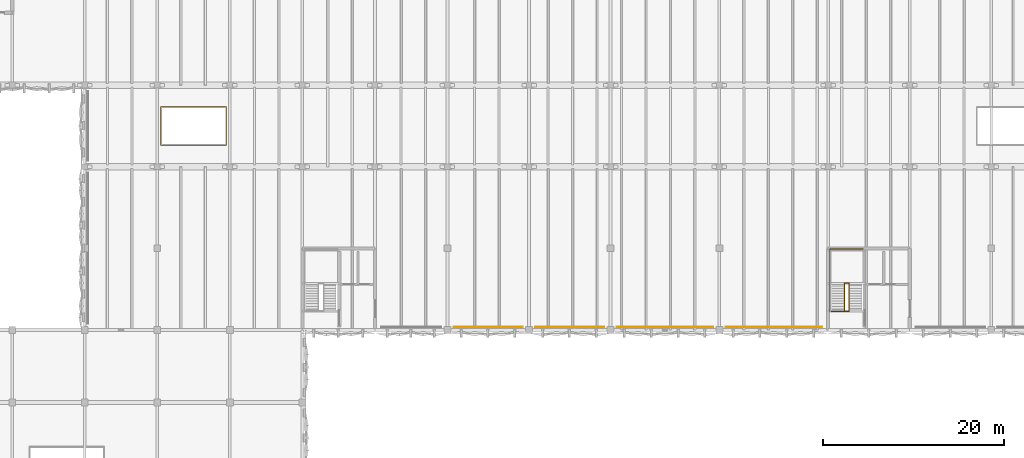
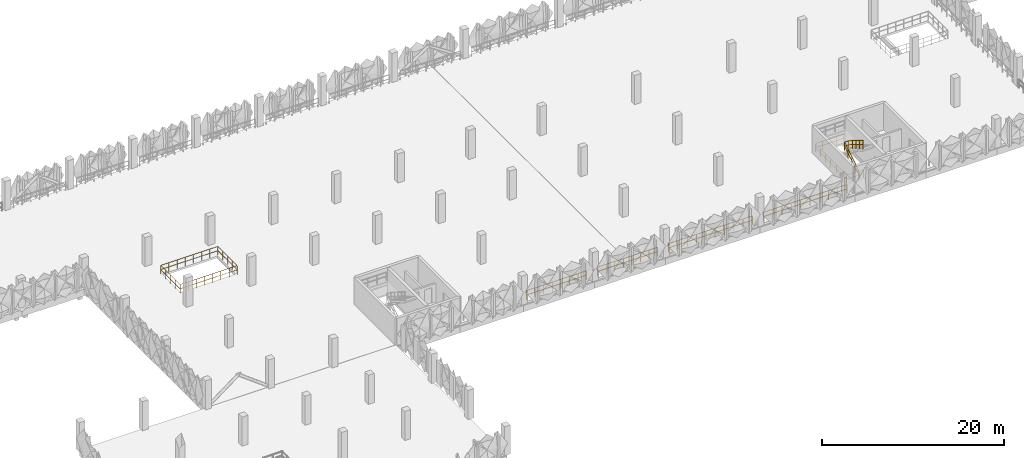
# One storey, part 75 of 83: 7 railings.
"""IFC4 building model written with IfcOpenShell, lengths in metres."""

from ifc_helpers import new_model, si_unit, derived_unit, direction, frame, origin, origin_2d, place, context, subcontext, project, spatial, circle, extrude, material, type_object, element, save


model = new_model("IFC4")

# Units and contexts
model_context = context("Model", 3, precision=1e-05, world=origin(), true_north=direction((0.0, 1.0)))
body_context = subcontext(model_context, "Body", "Model", "MODEL_VIEW")
ifc_project = project(units=[si_unit("LENGTHUNIT", "METRE"), si_unit("AREAUNIT", "SQUARE_METRE"), si_unit("VOLUMEUNIT", "CUBIC_METRE"), si_unit("PLANEANGLEUNIT", "RADIAN"), si_unit("MASSUNIT", "GRAM", prefix="KILO"), si_unit("THERMODYNAMICTEMPERATUREUNIT", "KELVIN"), derived_unit("THERMALTRANSMITTANCEUNIT", [(si_unit("POWERUNIT", "WATT"), 1), (si_unit("AREAUNIT", "SQUARE_METRE"), -1), (si_unit("THERMODYNAMICTEMPERATUREUNIT", "KELVIN"), -1)])], contexts=[model_context])

# Site, building, storey
site_placement = place(None, origin())
site = spatial("IfcSite", under=ifc_project, at=site_placement, CompositionType="ELEMENT")
building_placement = place(site_placement, origin())
building = spatial("IfcBuilding", under=site, at=building_placement, Name="Haiyu Intermodal Mobility Hub", CompositionType="ELEMENT")
storey_placement = place(building_placement, frame((0.0, 0.0, 13.39990234375)))
storey = spatial("IfcBuildingStorey", under=building, at=storey_placement, Name="L03", CompositionType="ELEMENT", Elevation=13.39990234375)

# Railings
ifc_material = material(Name="Steel Q355C", Category="steel")
railing_type_1 = type_object("IfcRailingType", Name="RAL-GR01", PredefinedType="GUARDRAIL", material=ifc_material)
railing_1_placement = place(storey_placement, frame((78.699951171875, 104.340087890625, 0.0)))
element("IfcRailing", 1, at=railing_1_placement, inside=storey, type_object=railing_type_1, Name="RAL-CAR-S-0117", PredefinedType="GUARDRAIL", context=body_context, shape_type="SweptSolid", body=[
    extrude(circle(Radius=0.02392578125, at=origin_2d()), frame((0.030029296875, 0.0, 1.17578125), z_axis=(1.0, 0.0, 0.0), x_axis=(0.0, 1.0, 0.0)), (0.0, 0.0, 1.0), 7.5400390625),
    extrude(circle(Radius=0.02392578125, at=origin_2d()), frame((0.037353515625, 0.0, 0.60009765625), z_axis=(1.0, 0.0, 0.0), x_axis=(0.0, 1.0, 0.0)), (0.0, 0.0, 1.0), 1.01123046875),
    extrude(circle(Radius=0.02392578125, at=origin_2d()), frame((1.123046875, 0.0, 0.60009765625), z_axis=(1.0, 0.0, 0.0), x_axis=(0.0, 1.0, 0.0)), (0.0, 0.0, 1.0), 1.01123046875),
    extrude(circle(Radius=0.02392578125, at=origin_2d()), frame((2.208740234375, 0.0, 0.60009765625), z_axis=(1.0, 0.0, 0.0), x_axis=(0.0, 1.0, 0.0)), (0.0, 0.0, 1.0), 1.01123046875),
    extrude(circle(Radius=0.02392578125, at=origin_2d()), frame((3.29443359375, 0.0, 0.60009765625), z_axis=(1.0, 0.0, 0.0), x_axis=(0.0, 1.0, 0.0)), (0.0, 0.0, 1.0), 1.01123046875),
    extrude(circle(Radius=0.02392578125, at=origin_2d()), frame((4.380126953125, 0.0, 0.60009765625), z_axis=(1.0, 0.0, 0.0), x_axis=(0.0, 1.0, 0.0)), (0.0, 0.0, 1.0), 1.01123046875),
    extrude(circle(Radius=0.02392578125, at=origin_2d()), frame((5.4658203125, 0.0, 0.60009765625), z_axis=(1.0, 0.0, 0.0), x_axis=(0.0, 1.0, 0.0)), (0.0, 0.0, 1.0), 1.01123046875),
    extrude(circle(Radius=0.02392578125, at=origin_2d()), frame((6.5517578125, 0.0, 0.60009765625), z_axis=(1.0, 0.0, 0.0), x_axis=(0.0, 1.0, 0.0)), (0.0, 0.0, 1.0), 1.01123046875),
    extrude(circle(Radius=0.02099609375, at=origin_2d()), origin(), (0.0, 0.0, 1.0), 1.143798828125),
    extrude(circle(Radius=0.02099609375, at=origin_2d()), frame((1.085693359375, 0.0, 0.0)), (0.0, 0.0, 1.0), 1.143798828125),
    extrude(circle(Radius=0.02099609375, at=origin_2d()), frame((2.17138671875, 0.0, 0.0)), (0.0, 0.0, 1.0), 1.143798828125),
    extrude(circle(Radius=0.02099609375, at=origin_2d()), frame((3.257080078125, 0.0, 0.0)), (0.0, 0.0, 1.0), 1.143798828125),
    extrude(circle(Radius=0.02099609375, at=origin_2d()), frame((4.343017578125, 0.0, 0.0)), (0.0, 0.0, 1.0), 1.143798828125),
    extrude(circle(Radius=0.02099609375, at=origin_2d()), frame((5.4287109375, 0.0, 0.0)), (0.0, 0.0, 1.0), 1.143798828125),
    extrude(circle(Radius=0.02099609375, at=origin_2d()), frame((6.514404296875, 0.0, 0.0)), (0.0, 0.0, 1.0), 1.143798828125),
    extrude(circle(Radius=0.02099609375, at=origin_2d()), frame((7.60009765625, 0.0, 0.0)), (0.0, 0.0, 1.0), 1.143798828125),
])
railing_2_placement = place(storey_placement, frame((87.699951171875, 104.340087890625, 0.0)))
element("IfcRailing", 2, at=railing_2_placement, inside=storey, type_object=railing_type_1, Name="RAL-CAR-S-0122", PredefinedType="GUARDRAIL", context=body_context, shape_type="SweptSolid", body=[
    extrude(circle(Radius=0.02392578125, at=origin_2d()), frame((0.030029296875, 0.0, 1.17578125), z_axis=(1.0, 0.0, 0.0), x_axis=(0.0, 1.0, 0.0)), (0.0, 0.0, 1.0), 7.5400390625),
    extrude(circle(Radius=0.02392578125, at=origin_2d()), frame((0.037353515625, 0.0, 0.60009765625), z_axis=(1.0, 0.0, 0.0), x_axis=(0.0, 1.0, 0.0)), (0.0, 0.0, 1.0), 1.01123046875),
    extrude(circle(Radius=0.02392578125, at=origin_2d()), frame((1.123046875, 0.0, 0.60009765625), z_axis=(1.0, 0.0, 0.0), x_axis=(0.0, 1.0, 0.0)), (0.0, 0.0, 1.0), 1.01123046875),
    extrude(circle(Radius=0.02392578125, at=origin_2d()), frame((2.208740234375, 0.0, 0.60009765625), z_axis=(1.0, 0.0, 0.0), x_axis=(0.0, 1.0, 0.0)), (0.0, 0.0, 1.0), 1.01123046875),
    extrude(circle(Radius=0.02392578125, at=origin_2d()), frame((3.29443359375, 0.0, 0.60009765625), z_axis=(1.0, 0.0, 0.0), x_axis=(0.0, 1.0, 0.0)), (0.0, 0.0, 1.0), 1.01123046875),
    extrude(circle(Radius=0.02392578125, at=origin_2d()), frame((4.380126953125, 0.0, 0.60009765625), z_axis=(1.0, 0.0, 0.0), x_axis=(0.0, 1.0, 0.0)), (0.0, 0.0, 1.0), 1.01123046875),
    extrude(circle(Radius=0.02392578125, at=origin_2d()), frame((5.4658203125, 0.0, 0.60009765625), z_axis=(1.0, 0.0, 0.0), x_axis=(0.0, 1.0, 0.0)), (0.0, 0.0, 1.0), 1.01123046875),
    extrude(circle(Radius=0.02392578125, at=origin_2d()), frame((6.5517578125, 0.0, 0.60009765625), z_axis=(1.0, 0.0, 0.0), x_axis=(0.0, 1.0, 0.0)), (0.0, 0.0, 1.0), 1.01123046875),
    extrude(circle(Radius=0.02099609375, at=origin_2d()), origin(), (0.0, 0.0, 1.0), 1.143798828125),
    extrude(circle(Radius=0.02099609375, at=origin_2d()), frame((1.085693359375, 0.0, 0.0)), (0.0, 0.0, 1.0), 1.143798828125),
    extrude(circle(Radius=0.02099609375, at=origin_2d()), frame((2.17138671875, 0.0, 0.0)), (0.0, 0.0, 1.0), 1.143798828125),
    extrude(circle(Radius=0.02099609375, at=origin_2d()), frame((3.257080078125, 0.0, 0.0)), (0.0, 0.0, 1.0), 1.143798828125),
    extrude(circle(Radius=0.02099609375, at=origin_2d()), frame((4.343017578125, 0.0, 0.0)), (0.0, 0.0, 1.0), 1.143798828125),
    extrude(circle(Radius=0.02099609375, at=origin_2d()), frame((5.4287109375, 0.0, 0.0)), (0.0, 0.0, 1.0), 1.143798828125),
    extrude(circle(Radius=0.02099609375, at=origin_2d()), frame((6.514404296875, 0.0, 0.0)), (0.0, 0.0, 1.0), 1.143798828125),
    extrude(circle(Radius=0.02099609375, at=origin_2d()), frame((7.60009765625, 0.0, 0.0)), (0.0, 0.0, 1.0), 1.143798828125),
])
railing_3_placement = place(storey_placement, frame((96.699951171875, 104.340087890625, 0.0)))
element("IfcRailing", 3, at=railing_3_placement, inside=storey, type_object=railing_type_1, Name="RAL-CAR-S-0128", PredefinedType="GUARDRAIL", context=body_context, shape_type="SweptSolid", body=[
    extrude(circle(Radius=0.02392578125, at=origin_2d()), frame((0.030029296875, 0.0, 1.17578125), z_axis=(1.0, 0.0, 0.0), x_axis=(0.0, 1.0, 0.0)), (0.0, 0.0, 1.0), 10.5400390625),
    extrude(circle(Radius=0.02392578125, at=origin_2d()), frame((0.037353515625, 0.0, 0.60009765625), z_axis=(1.0, 0.0, 0.0), x_axis=(0.0, 1.0, 0.0)), (0.0, 0.0, 1.0), 1.103271484375),
    extrude(circle(Radius=0.02392578125, at=origin_2d()), frame((1.215087890625, 0.0, 0.60009765625), z_axis=(1.0, 0.0, 0.0), x_axis=(0.0, 1.0, 0.0)), (0.0, 0.0, 1.0), 1.103271484375),
    extrude(circle(Radius=0.02392578125, at=origin_2d()), frame((2.392822265625, 0.0, 0.60009765625), z_axis=(1.0, 0.0, 0.0), x_axis=(0.0, 1.0, 0.0)), (0.0, 0.0, 1.0), 1.103271484375),
    extrude(circle(Radius=0.02392578125, at=origin_2d()), frame((3.570556640625, 0.0, 0.60009765625), z_axis=(1.0, 0.0, 0.0), x_axis=(0.0, 1.0, 0.0)), (0.0, 0.0, 1.0), 1.103271484375),
    extrude(circle(Radius=0.02392578125, at=origin_2d()), frame((4.74853515625, 0.0, 0.60009765625), z_axis=(1.0, 0.0, 0.0), x_axis=(0.0, 1.0, 0.0)), (0.0, 0.0, 1.0), 1.103271484375),
    extrude(circle(Radius=0.02392578125, at=origin_2d()), frame((5.92626953125, 0.0, 0.60009765625), z_axis=(1.0, 0.0, 0.0), x_axis=(0.0, 1.0, 0.0)), (0.0, 0.0, 1.0), 1.103271484375),
    extrude(circle(Radius=0.02392578125, at=origin_2d()), frame((7.10400390625, 0.0, 0.60009765625), z_axis=(1.0, 0.0, 0.0), x_axis=(0.0, 1.0, 0.0)), (0.0, 0.0, 1.0), 1.103271484375),
    extrude(circle(Radius=0.02392578125, at=origin_2d()), frame((8.28173828125, 0.0, 0.60009765625), z_axis=(1.0, 0.0, 0.0), x_axis=(0.0, 1.0, 0.0)), (0.0, 0.0, 1.0), 1.103271484375),
    extrude(circle(Radius=0.02392578125, at=origin_2d()), frame((9.459716796875, 0.0, 0.60009765625), z_axis=(1.0, 0.0, 0.0), x_axis=(0.0, 1.0, 0.0)), (0.0, 0.0, 1.0), 1.103271484375),
    extrude(circle(Radius=0.02099609375, at=origin_2d()), origin(), (0.0, 0.0, 1.0), 1.143798828125),
    extrude(circle(Radius=0.02099609375, at=origin_2d()), frame((1.177734375, 0.0, 0.0)), (0.0, 0.0, 1.0), 1.143798828125),
    extrude(circle(Radius=0.02099609375, at=origin_2d()), frame((2.35546875, 0.0, 0.0)), (0.0, 0.0, 1.0), 1.143798828125),
    extrude(circle(Radius=0.02099609375, at=origin_2d()), frame((3.533447265625, 0.0, 0.0)), (0.0, 0.0, 1.0), 1.143798828125),
    extrude(circle(Radius=0.02099609375, at=origin_2d()), frame((4.711181640625, 0.0, 0.0)), (0.0, 0.0, 1.0), 1.143798828125),
    extrude(circle(Radius=0.02099609375, at=origin_2d()), frame((5.888916015625, 0.0, 0.0)), (0.0, 0.0, 1.0), 1.143798828125),
    extrude(circle(Radius=0.02099609375, at=origin_2d()), frame((7.066650390625, 0.0, 0.0)), (0.0, 0.0, 1.0), 1.143798828125),
    extrude(circle(Radius=0.02099609375, at=origin_2d()), frame((8.24462890625, 0.0, 0.0)), (0.0, 0.0, 1.0), 1.143798828125),
    extrude(circle(Radius=0.02099609375, at=origin_2d()), frame((9.42236328125, 0.0, 0.0)), (0.0, 0.0, 1.0), 1.143798828125),
    extrude(circle(Radius=0.02099609375, at=origin_2d()), frame((10.60009765625, 0.0, 0.0)), (0.0, 0.0, 1.0), 1.143798828125),
])
railing_4_placement = place(storey_placement, frame((108.699951171875, 104.340087890625, 0.0)))
element("IfcRailing", 4, at=railing_4_placement, inside=storey, type_object=railing_type_1, Name="RAL-CAR-S-0134", PredefinedType="GUARDRAIL", context=body_context, shape_type="SweptSolid", body=[
    extrude(circle(Radius=0.02392578125, at=origin_2d()), frame((0.030029296875, 0.0, 1.17578125), z_axis=(1.0, 0.0, 0.0), x_axis=(0.0, 1.0, 0.0)), (0.0, 0.0, 1.0), 10.5400390625),
    extrude(circle(Radius=0.02392578125, at=origin_2d()), frame((0.037353515625, 0.0, 0.60009765625), z_axis=(1.0, 0.0, 0.0), x_axis=(0.0, 1.0, 0.0)), (0.0, 0.0, 1.0), 1.103271484375),
    extrude(circle(Radius=0.02392578125, at=origin_2d()), frame((1.215087890625, 0.0, 0.60009765625), z_axis=(1.0, 0.0, 0.0), x_axis=(0.0, 1.0, 0.0)), (0.0, 0.0, 1.0), 1.103271484375),
    extrude(circle(Radius=0.02392578125, at=origin_2d()), frame((2.392822265625, 0.0, 0.60009765625), z_axis=(1.0, 0.0, 0.0), x_axis=(0.0, 1.0, 0.0)), (0.0, 0.0, 1.0), 1.103271484375),
    extrude(circle(Radius=0.02392578125, at=origin_2d()), frame((3.570556640625, 0.0, 0.60009765625), z_axis=(1.0, 0.0, 0.0), x_axis=(0.0, 1.0, 0.0)), (0.0, 0.0, 1.0), 1.103271484375),
    extrude(circle(Radius=0.02392578125, at=origin_2d()), frame((4.74853515625, 0.0, 0.60009765625), z_axis=(1.0, 0.0, 0.0), x_axis=(0.0, 1.0, 0.0)), (0.0, 0.0, 1.0), 1.103271484375),
    extrude(circle(Radius=0.02392578125, at=origin_2d()), frame((5.92626953125, 0.0, 0.60009765625), z_axis=(1.0, 0.0, 0.0), x_axis=(0.0, 1.0, 0.0)), (0.0, 0.0, 1.0), 1.103271484375),
    extrude(circle(Radius=0.02392578125, at=origin_2d()), frame((7.10400390625, 0.0, 0.60009765625), z_axis=(1.0, 0.0, 0.0), x_axis=(0.0, 1.0, 0.0)), (0.0, 0.0, 1.0), 1.103271484375),
    extrude(circle(Radius=0.02392578125, at=origin_2d()), frame((8.28173828125, 0.0, 0.60009765625), z_axis=(1.0, 0.0, 0.0), x_axis=(0.0, 1.0, 0.0)), (0.0, 0.0, 1.0), 1.103271484375),
    extrude(circle(Radius=0.02392578125, at=origin_2d()), frame((9.459716796875, 0.0, 0.60009765625), z_axis=(1.0, 0.0, 0.0), x_axis=(0.0, 1.0, 0.0)), (0.0, 0.0, 1.0), 1.103271484375),
    extrude(circle(Radius=0.02099609375, at=origin_2d()), origin(), (0.0, 0.0, 1.0), 1.143798828125),
    extrude(circle(Radius=0.02099609375, at=origin_2d()), frame((1.177734375, 0.0, 0.0)), (0.0, 0.0, 1.0), 1.143798828125),
    extrude(circle(Radius=0.02099609375, at=origin_2d()), frame((2.35546875, 0.0, 0.0)), (0.0, 0.0, 1.0), 1.143798828125),
    extrude(circle(Radius=0.02099609375, at=origin_2d()), frame((3.533447265625, 0.0, 0.0)), (0.0, 0.0, 1.0), 1.143798828125),
    extrude(circle(Radius=0.02099609375, at=origin_2d()), frame((4.711181640625, 0.0, 0.0)), (0.0, 0.0, 1.0), 1.143798828125),
    extrude(circle(Radius=0.02099609375, at=origin_2d()), frame((5.888916015625, 0.0, 0.0)), (0.0, 0.0, 1.0), 1.143798828125),
    extrude(circle(Radius=0.02099609375, at=origin_2d()), frame((7.066650390625, 0.0, 0.0)), (0.0, 0.0, 1.0), 1.143798828125),
    extrude(circle(Radius=0.02099609375, at=origin_2d()), frame((8.24462890625, 0.0, 0.0)), (0.0, 0.0, 1.0), 1.143798828125),
    extrude(circle(Radius=0.02099609375, at=origin_2d()), frame((9.42236328125, 0.0, 0.0)), (0.0, 0.0, 1.0), 1.143798828125),
    extrude(circle(Radius=0.02099609375, at=origin_2d()), frame((10.60009765625, 0.0, 0.0)), (0.0, 0.0, 1.0), 1.143798828125),
])
railing_5_placement = place(storey_placement, frame((46.3798828125, 124.3798828125, 0.0)))
element("IfcRailing", 5, at=railing_5_placement, inside=storey, type_object=railing_type_1, Name="RAL-V4VOID-L03-W", PredefinedType="GUARDRAIL", context=body_context, shape_type="SweptSolid", body=[
    extrude(circle(Radius=0.02392578125, at=origin_2d()), frame((0.030029296875, 0.0, 1.15576171875), z_axis=(1.0, 0.0, 0.0), x_axis=(0.0, 1.0, 0.0)), (0.0, 0.0, 1.0), 7.18017578125),
    extrude(circle(Radius=0.02392578125, at=origin_2d()), frame((0.037353515625, 0.0, 0.58984375), z_axis=(1.0, 0.0, 0.0), x_axis=(0.0, 1.0, 0.0)), (0.0, 0.0, 1.0), 0.959716796875),
    extrude(circle(Radius=0.02392578125, at=origin_2d()), frame((1.071533203125, 0.0, 0.58984375), z_axis=(1.0, 0.0, 0.0), x_axis=(0.0, 1.0, 0.0)), (0.0, 0.0, 1.0), 0.959716796875),
    extrude(circle(Radius=0.02392578125, at=origin_2d()), frame((2.10595703125, 0.0, 0.58984375), z_axis=(1.0, 0.0, 0.0), x_axis=(0.0, 1.0, 0.0)), (0.0, 0.0, 1.0), 0.959716796875),
    extrude(circle(Radius=0.02392578125, at=origin_2d()), frame((3.14013671875, 0.0, 0.58984375), z_axis=(1.0, 0.0, 0.0), x_axis=(0.0, 1.0, 0.0)), (0.0, 0.0, 1.0), 0.959716796875),
    extrude(circle(Radius=0.02392578125, at=origin_2d()), frame((4.174560546875, 0.0, 0.58984375), z_axis=(1.0, 0.0, 0.0), x_axis=(0.0, 1.0, 0.0)), (0.0, 0.0, 1.0), 0.959716796875),
    extrude(circle(Radius=0.02392578125, at=origin_2d()), frame((5.208984375, 0.0, 0.58984375), z_axis=(1.0, 0.0, 0.0), x_axis=(0.0, 1.0, 0.0)), (0.0, 0.0, 1.0), 0.959716796875),
    extrude(circle(Radius=0.02392578125, at=origin_2d()), frame((6.2431640625, 0.0, 0.58984375), z_axis=(1.0, 0.0, 0.0), x_axis=(0.0, 1.0, 0.0)), (0.0, 0.0, 1.0), 0.959716796875),
    extrude(circle(Radius=0.02392578125, at=origin_2d()), frame((7.240234375, 0.030029296875, 1.15576171875), z_axis=(0.0, 1.0, 0.0), x_axis=(-1.0, 0.0, 0.0)), (0.0, 0.0, 1.0), 4.18017578125),
    extrude(circle(Radius=0.02392578125, at=origin_2d()), frame((7.240234375, 0.037353515625, 0.58984375), z_axis=(0.0, 1.0, 0.0), x_axis=(-1.0, 0.0, 0.0)), (0.0, 0.0, 1.0), 0.9853515625),
    extrude(circle(Radius=0.02392578125, at=origin_2d()), frame((7.240234375, 1.097412109375, 0.58984375), z_axis=(0.0, 1.0, 0.0), x_axis=(-1.0, 0.0, 0.0)), (0.0, 0.0, 1.0), 0.9853515625),
    extrude(circle(Radius=0.02392578125, at=origin_2d()), frame((7.240234375, 2.157470703125, 0.58984375), z_axis=(0.0, 1.0, 0.0), x_axis=(-1.0, 0.0, 0.0)), (0.0, 0.0, 1.0), 0.9853515625),
    extrude(circle(Radius=0.02392578125, at=origin_2d()), frame((7.240234375, 3.217529296875, 0.58984375), z_axis=(0.0, 1.0, 0.0), x_axis=(-1.0, 0.0, 0.0)), (0.0, 0.0, 1.0), 0.9853515625),
    extrude(circle(Radius=0.02392578125, at=origin_2d()), frame((7.210205078125, 4.240234375, 1.15576171875), z_axis=(-1.0, 0.0, 0.0), x_axis=(0.0, -1.0, 0.0)), (0.0, 0.0, 1.0), 7.18017578125),
    extrude(circle(Radius=0.02392578125, at=origin_2d()), frame((7.202880859375, 4.240234375, 0.58984375), z_axis=(-1.0, 0.0, 0.0), x_axis=(0.0, -1.0, 0.0)), (0.0, 0.0, 1.0), 0.959716796875),
    extrude(circle(Radius=0.02392578125, at=origin_2d()), frame((6.168701171875, 4.240234375, 0.58984375), z_axis=(-1.0, 0.0, 0.0), x_axis=(0.0, -1.0, 0.0)), (0.0, 0.0, 1.0), 0.959716796875),
    extrude(circle(Radius=0.02392578125, at=origin_2d()), frame((5.13427734375, 4.240234375, 0.58984375), z_axis=(-1.0, 0.0, 0.0), x_axis=(0.0, -1.0, 0.0)), (0.0, 0.0, 1.0), 0.959716796875),
    extrude(circle(Radius=0.02392578125, at=origin_2d()), frame((4.10009765625, 4.240234375, 0.58984375), z_axis=(-1.0, 0.0, 0.0), x_axis=(0.0, -1.0, 0.0)), (0.0, 0.0, 1.0), 0.959716796875),
    extrude(circle(Radius=0.02392578125, at=origin_2d()), frame((3.065673828125, 4.240234375, 0.58984375), z_axis=(-1.0, 0.0, 0.0), x_axis=(0.0, -1.0, 0.0)), (0.0, 0.0, 1.0), 0.959716796875),
    extrude(circle(Radius=0.02392578125, at=origin_2d()), frame((2.03125, 4.240234375, 0.58984375), z_axis=(-1.0, 0.0, 0.0), x_axis=(0.0, -1.0, 0.0)), (0.0, 0.0, 1.0), 0.959716796875),
    extrude(circle(Radius=0.02392578125, at=origin_2d()), frame((0.9970703125, 4.240234375, 0.58984375), z_axis=(-1.0, 0.0, 0.0), x_axis=(0.0, -1.0, 0.0)), (0.0, 0.0, 1.0), 0.959716796875),
    extrude(circle(Radius=0.02392578125, at=origin_2d()), frame((0.0, 4.210205078125, 1.15576171875), z_axis=(0.0, -1.0, 0.0), x_axis=(1.0, 0.0, 0.0)), (0.0, 0.0, 1.0), 4.18017578125),
    extrude(circle(Radius=0.02392578125, at=origin_2d()), frame((0.0, 4.202880859375, 0.58984375), z_axis=(0.0, -1.0, 0.0), x_axis=(1.0, 0.0, 0.0)), (0.0, 0.0, 1.0), 0.9853515625),
    extrude(circle(Radius=0.02392578125, at=origin_2d()), frame((0.0, 3.142822265625, 0.58984375), z_axis=(0.0, -1.0, 0.0), x_axis=(1.0, 0.0, 0.0)), (0.0, 0.0, 1.0), 0.9853515625),
    extrude(circle(Radius=0.02392578125, at=origin_2d()), frame((0.0, 2.082763671875, 0.58984375), z_axis=(0.0, -1.0, 0.0), x_axis=(1.0, 0.0, 0.0)), (0.0, 0.0, 1.0), 0.9853515625),
    extrude(circle(Radius=0.02392578125, at=origin_2d()), frame((0.0, 1.022705078125, 0.58984375), z_axis=(0.0, -1.0, 0.0), x_axis=(1.0, 0.0, 0.0)), (0.0, 0.0, 1.0), 0.9853515625),
    extrude(circle(Radius=0.02099609375, at=origin_2d()), origin(), (0.0, 0.0, 1.0), 1.123779296875),
    extrude(circle(Radius=0.02099609375, at=origin_2d()), frame((1.034423828125, 0.0, 0.0)), (0.0, 0.0, 1.0), 1.123779296875),
    extrude(circle(Radius=0.02099609375, at=origin_2d()), frame((2.068603515625, 0.0, 0.0)), (0.0, 0.0, 1.0), 1.123779296875),
    extrude(circle(Radius=0.02099609375, at=origin_2d()), frame((3.10302734375, 0.0, 0.0)), (0.0, 0.0, 1.0), 1.123779296875),
    extrude(circle(Radius=0.02099609375, at=origin_2d()), frame((4.13720703125, 0.0, 0.0)), (0.0, 0.0, 1.0), 1.123779296875),
    extrude(circle(Radius=0.02099609375, at=origin_2d()), frame((5.171630859375, 0.0, 0.0)), (0.0, 0.0, 1.0), 1.123779296875),
    extrude(circle(Radius=0.02099609375, at=origin_2d()), frame((6.205810546875, 0.0, 0.0)), (0.0, 0.0, 1.0), 1.123779296875),
    extrude(circle(Radius=0.02099609375, at=origin_2d()), frame((7.240234375, 0.0, 0.0)), (0.0, 0.0, 1.0), 1.123779296875),
    extrude(circle(Radius=0.02099609375, at=origin_2d()), frame((7.240234375, 1.06005859375, 0.0)), (0.0, 0.0, 1.0), 1.123779296875),
    extrude(circle(Radius=0.02099609375, at=origin_2d()), frame((7.240234375, 2.1201171875, 0.0)), (0.0, 0.0, 1.0), 1.123779296875),
    extrude(circle(Radius=0.02099609375, at=origin_2d()), frame((7.240234375, 3.18017578125, 0.0)), (0.0, 0.0, 1.0), 1.123779296875),
    extrude(circle(Radius=0.02099609375, at=origin_2d()), frame((7.240234375, 4.240234375, 0.0)), (0.0, 0.0, 1.0), 1.123779296875),
    extrude(circle(Radius=0.02099609375, at=origin_2d()), frame((6.205810546875, 4.240234375, 0.0)), (0.0, 0.0, 1.0), 1.123779296875),
    extrude(circle(Radius=0.02099609375, at=origin_2d()), frame((5.171630859375, 4.240234375, 0.0)), (0.0, 0.0, 1.0), 1.123779296875),
    extrude(circle(Radius=0.02099609375, at=origin_2d()), frame((4.13720703125, 4.240234375, 0.0)), (0.0, 0.0, 1.0), 1.123779296875),
    extrude(circle(Radius=0.02099609375, at=origin_2d()), frame((3.10302734375, 4.240234375, 0.0)), (0.0, 0.0, 1.0), 1.123779296875),
    extrude(circle(Radius=0.02099609375, at=origin_2d()), frame((2.068603515625, 4.240234375, 0.0)), (0.0, 0.0, 1.0), 1.123779296875),
    extrude(circle(Radius=0.02099609375, at=origin_2d()), frame((1.034423828125, 4.240234375, 0.0)), (0.0, 0.0, 1.0), 1.123779296875),
    extrude(circle(Radius=0.02099609375, at=origin_2d()), frame((0.0, 4.240234375, 0.0)), (0.0, 0.0, 1.0), 1.123779296875),
    extrude(circle(Radius=0.02099609375, at=origin_2d()), frame((0.0, 3.18017578125, 0.0)), (0.0, 0.0, 1.0), 1.123779296875),
    extrude(circle(Radius=0.02099609375, at=origin_2d()), frame((0.0, 2.1201171875, 0.0)), (0.0, 0.0, 1.0), 1.123779296875),
    extrude(circle(Radius=0.02099609375, at=origin_2d()), frame((0.0, 1.06005859375, 0.0)), (0.0, 0.0, 1.0), 1.123779296875),
])
railing_type_2 = type_object("IfcRailingType", Name="RAL-GR03", PredefinedType="GUARDRAIL", material=ifc_material)
railing_6_placement = place(storey_placement, frame((122.31005859375, 106.010009765625, 0.0)))
element("IfcRailing", 6, at=railing_6_placement, inside=storey, type_object=railing_type_2, Name="Stair Shaft Floor Guard STR-C6-L02", PredefinedType="GUARDRAIL", context=body_context, shape_type="SweptSolid", body=[
    extrude(circle(Radius=0.02392578125, at=origin_2d()), frame((-0.030029296875, 0.0, 1.09619140625), z_axis=(-1.0, 0.0, 0.0), x_axis=(0.0, -1.0, 0.0)), (0.0, 0.0, 1.0), 2.030029296875),
    extrude(circle(Radius=0.02392578125, at=origin_2d()), frame((-0.037353515625, 0.0, 0.56005859375), z_axis=(-1.0, 0.0, 0.0), x_axis=(0.0, -1.0, 0.0)), (0.0, 0.0, 1.0), 0.970458984375),
    extrude(circle(Radius=0.02392578125, at=origin_2d()), frame((-1.082275390625, 0.0, 0.56005859375), z_axis=(-1.0, 0.0, 0.0), x_axis=(0.0, -1.0, 0.0)), (0.0, 0.0, 1.0), 0.970458984375),
    extrude(circle(Radius=0.02392578125, at=origin_2d()), frame((-2.090087890625, 0.030029296875, 1.09619140625), z_axis=(0.0, 1.0, 0.0), x_axis=(-1.0, 0.0, 0.0)), (0.0, 0.0, 1.0), 6.8798828125),
    extrude(circle(Radius=0.02392578125, at=origin_2d()), frame((-2.090087890625, 0.037353515625, 0.56005859375), z_axis=(0.0, 1.0, 0.0), x_axis=(-1.0, 0.0, 0.0)), (0.0, 0.0, 1.0), 1.08203125),
    extrude(circle(Radius=0.02392578125, at=origin_2d()), frame((-2.090087890625, 1.19384765625, 0.56005859375), z_axis=(0.0, 1.0, 0.0), x_axis=(-1.0, 0.0, 0.0)), (0.0, 0.0, 1.0), 1.08203125),
    extrude(circle(Radius=0.02392578125, at=origin_2d()), frame((-2.090087890625, 2.3505859375, 0.56005859375), z_axis=(0.0, 1.0, 0.0), x_axis=(-1.0, 0.0, 0.0)), (0.0, 0.0, 1.0), 1.08203125),
    extrude(circle(Radius=0.02392578125, at=origin_2d()), frame((-2.090087890625, 3.50732421875, 0.56005859375), z_axis=(0.0, 1.0, 0.0), x_axis=(-1.0, 0.0, 0.0)), (0.0, 0.0, 1.0), 1.08203125),
    extrude(circle(Radius=0.02392578125, at=origin_2d()), frame((-2.090087890625, 4.663818359375, 0.56005859375), z_axis=(0.0, 1.0, 0.0), x_axis=(-1.0, 0.0, 0.0)), (0.0, 0.0, 1.0), 1.08203125),
    extrude(circle(Radius=0.02392578125, at=origin_2d()), frame((-2.090087890625, 5.820556640625, 0.56005859375), z_axis=(0.0, 1.0, 0.0), x_axis=(-1.0, 0.0, 0.0)), (0.0, 0.0, 1.0), 1.08203125),
    extrude(circle(Radius=0.02392578125, at=origin_2d()), frame((-2.06005859375, 6.93994140625, 1.09619140625), z_axis=(1.0, 0.0, 0.0), x_axis=(0.0, 1.0, 0.0)), (0.0, 0.0, 1.0), 3.590087890625),
    extrude(circle(Radius=0.02392578125, at=origin_2d()), frame((-2.052734375, 6.93994140625, 0.56005859375), z_axis=(1.0, 0.0, 0.0), x_axis=(0.0, 1.0, 0.0)), (0.0, 0.0, 1.0), 0.837890625),
    extrude(circle(Radius=0.02392578125, at=origin_2d()), frame((-1.14013671875, 6.93994140625, 0.56005859375), z_axis=(1.0, 0.0, 0.0), x_axis=(0.0, 1.0, 0.0)), (0.0, 0.0, 1.0), 0.837890625),
    extrude(circle(Radius=0.02392578125, at=origin_2d()), frame((-0.227783203125, 6.93994140625, 0.56005859375), z_axis=(1.0, 0.0, 0.0), x_axis=(0.0, 1.0, 0.0)), (0.0, 0.0, 1.0), 0.837890625),
    extrude(circle(Radius=0.02392578125, at=origin_2d()), frame((0.684814453125, 6.93994140625, 0.56005859375), z_axis=(1.0, 0.0, 0.0), x_axis=(0.0, 1.0, 0.0)), (0.0, 0.0, 1.0), 0.837890625),
    extrude(circle(Radius=0.02099609375, at=origin_2d()), origin(), (0.0, 0.0, 1.0), 1.06396484375),
    extrude(circle(Radius=0.02099609375, at=origin_2d()), frame((-1.044921875, 0.0, 0.0)), (0.0, 0.0, 1.0), 1.06396484375),
    extrude(circle(Radius=0.02099609375, at=origin_2d()), frame((-2.090087890625, 0.0, 0.0)), (0.0, 0.0, 1.0), 1.06396484375),
    extrude(circle(Radius=0.02099609375, at=origin_2d()), frame((-2.090087890625, 1.15673828125, 0.0)), (0.0, 0.0, 1.0), 1.06396484375),
    extrude(circle(Radius=0.02099609375, at=origin_2d()), frame((-2.090087890625, 2.313232421875, 0.0)), (0.0, 0.0, 1.0), 1.06396484375),
    extrude(circle(Radius=0.02099609375, at=origin_2d()), frame((-2.090087890625, 3.469970703125, 0.0)), (0.0, 0.0, 1.0), 1.06396484375),
    extrude(circle(Radius=0.02099609375, at=origin_2d()), frame((-2.090087890625, 4.626708984375, 0.0)), (0.0, 0.0, 1.0), 1.06396484375),
    extrude(circle(Radius=0.02099609375, at=origin_2d()), frame((-2.090087890625, 5.783203125, 0.0)), (0.0, 0.0, 1.0), 1.06396484375),
    extrude(circle(Radius=0.02099609375, at=origin_2d()), frame((-2.090087890625, 6.93994140625, 0.0)), (0.0, 0.0, 1.0), 1.06396484375),
    extrude(circle(Radius=0.02099609375, at=origin_2d()), frame((-1.177490234375, 6.93994140625, 0.0)), (0.0, 0.0, 1.0), 1.06396484375),
    extrude(circle(Radius=0.02099609375, at=origin_2d()), frame((-0.26513671875, 6.93994140625, 0.0)), (0.0, 0.0, 1.0), 1.06396484375),
    extrude(circle(Radius=0.02099609375, at=origin_2d()), frame((0.6474609375, 6.93994140625, 0.0)), (0.0, 0.0, 1.0), 1.06396484375),
    extrude(circle(Radius=0.02099609375, at=origin_2d()), frame((1.56005859375, 6.93994140625, 0.0)), (0.0, 0.0, 1.0), 1.06396484375),
])
railing_7_placement = place(storey_placement, frame((121.780029296875, 106.050048828125, 0.0)))
element("IfcRailing", 7, at=railing_7_placement, inside=storey, type_object=railing_type_2, Name="Stair Well Guard STR-C6-L03", PredefinedType="GUARDRAIL", context=body_context, shape_type="SweptSolid", body=[
    extrude(circle(Radius=0.02392578125, at=origin_2d()), frame((0.0, 0.025390625, 1.11181640625), z_axis=(0.0, 0.84872648218, 0.528832070176), x_axis=(-1.0, 0.0, 0.0)), (0.0, 0.0, 1.0), 3.627685546875),
    extrude(circle(Radius=0.02392578125, at=origin_2d()), frame((0.0, 0.03173828125, 0.579833984375), z_axis=(0.0, 0.84872648218, 0.528832070176), x_axis=(-1.0, 0.0, 0.0)), (0.0, 0.0, 1.0), 0.847412109375),
    extrude(circle(Radius=0.02392578125, at=origin_2d()), frame((0.0, 0.814208984375, 1.0673828125), z_axis=(0.0, 0.84872648218, 0.528832070176), x_axis=(-1.0, 0.0, 0.0)), (0.0, 0.0, 1.0), 0.847412109375),
    extrude(circle(Radius=0.02392578125, at=origin_2d()), frame((0.0, 1.5966796875, 1.554931640625), z_axis=(0.0, 0.84872648218, 0.528832070176), x_axis=(-1.0, 0.0, 0.0)), (0.0, 0.0, 1.0), 0.847412109375),
    extrude(circle(Radius=0.02392578125, at=origin_2d()), frame((0.0, 2.379150390625, 2.04248046875), z_axis=(0.0, 0.84872648218, 0.528832070176), x_axis=(-1.0, 0.0, 0.0)), (0.0, 0.0, 1.0), 0.847412109375),
    extrude(circle(Radius=0.02392578125, at=origin_2d()), frame((0.030029296875, 3.1298828125, 3.04638671875), z_axis=(1.0, 0.0, 0.0), x_axis=(0.0, 1.0, 0.0)), (0.0, 0.0, 1.0), 0.469970703125),
    extrude(circle(Radius=0.02392578125, at=origin_2d()), frame((0.037353515625, 3.1298828125, 2.51025390625), z_axis=(1.0, 0.0, 0.0), x_axis=(0.0, 1.0, 0.0)), (0.0, 0.0, 1.0), 0.455322265625),
    extrude(circle(Radius=0.02392578125, at=origin_2d()), frame((0.530029296875, 3.1044921875, 3.06201171875), z_axis=(0.0, -0.848756196164, 0.528784378999), x_axis=(1.0, 0.0, 0.0)), (0.0, 0.0, 1.0), 3.627685546875),
    extrude(circle(Radius=0.02392578125, at=origin_2d()), frame((0.530029296875, 3.09814453125, 2.530029296875), z_axis=(0.0, -0.848756196164, 0.528784378999), x_axis=(1.0, 0.0, 0.0)), (0.0, 0.0, 1.0), 0.847412109375),
    extrude(circle(Radius=0.02392578125, at=origin_2d()), frame((0.530029296875, 2.315673828125, 3.017578125), z_axis=(0.0, -0.848756196164, 0.528784378999), x_axis=(1.0, 0.0, 0.0)), (0.0, 0.0, 1.0), 0.847412109375),
    extrude(circle(Radius=0.02392578125, at=origin_2d()), frame((0.530029296875, 1.533203125, 3.5048828125), z_axis=(0.0, -0.848756196164, 0.528784378999), x_axis=(1.0, 0.0, 0.0)), (0.0, 0.0, 1.0), 0.847412109375),
    extrude(circle(Radius=0.02392578125, at=origin_2d()), frame((0.530029296875, 0.750732421875, 3.992431640625), z_axis=(0.0, -0.848756196164, 0.528784378999), x_axis=(1.0, 0.0, 0.0)), (0.0, 0.0, 1.0), 0.847412109375),
    extrude(circle(Radius=0.02099609375, at=origin_2d()), origin(), (0.0, 0.0, 1.0), 1.06396484375),
    extrude(circle(Radius=0.02099609375, at=origin_2d()), frame((0.0, 0.782470703125, 0.487548828125)), (0.0, 0.0, 1.0), 1.06396484375),
    extrude(circle(Radius=0.02099609375, at=origin_2d()), frame((0.0, 1.56494140625, 0.97509765625)), (0.0, 0.0, 1.0), 1.06396484375),
    extrude(circle(Radius=0.02099609375, at=origin_2d()), frame((0.0, 2.347412109375, 1.462646484375)), (0.0, 0.0, 1.0), 1.06396484375),
    extrude(circle(Radius=0.02099609375, at=origin_2d()), frame((0.0, 3.1298828125, 1.9501953125)), (0.0, 0.0, 1.0), 1.06396484375),
    extrude(circle(Radius=0.02099609375, at=origin_2d()), frame((0.530029296875, 3.1298828125, 1.9501953125)), (0.0, 0.0, 1.0), 1.06396484375),
    extrude(circle(Radius=0.02099609375, at=origin_2d()), frame((0.530029296875, 2.347412109375, 2.437744140625)), (0.0, 0.0, 1.0), 1.06396484375),
    extrude(circle(Radius=0.02099609375, at=origin_2d()), frame((0.530029296875, 1.56494140625, 2.92529296875)), (0.0, 0.0, 1.0), 1.06396484375),
    extrude(circle(Radius=0.02099609375, at=origin_2d()), frame((0.530029296875, 0.782470703125, 3.41259765625)), (0.0, 0.0, 1.0), 1.06396484375),
    extrude(circle(Radius=0.02099609375, at=origin_2d()), frame((0.530029296875, 0.0, 3.900146484375)), (0.0, 0.0, 1.0), 1.06396484375),
])

save(model, "model.ifc")
